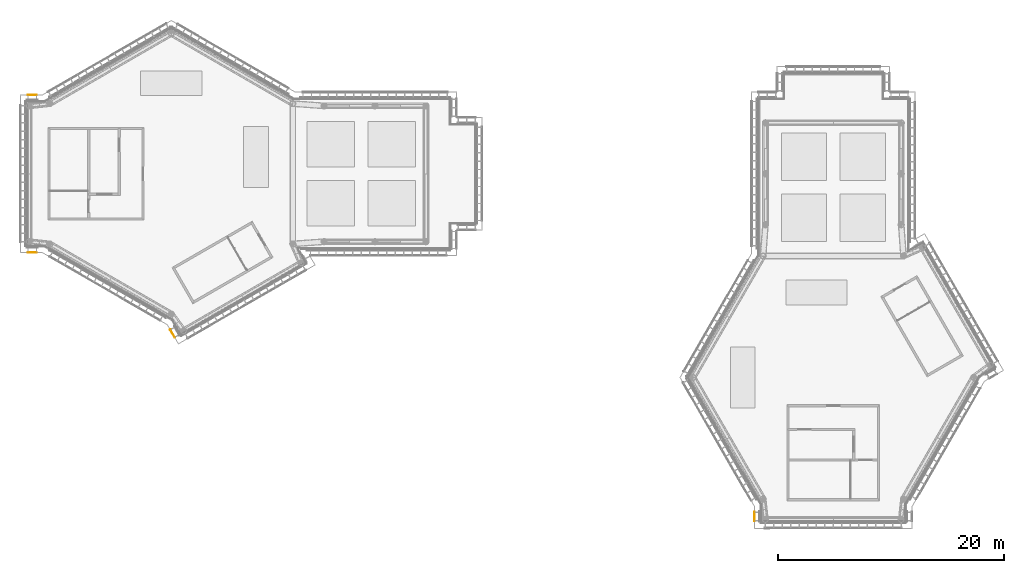
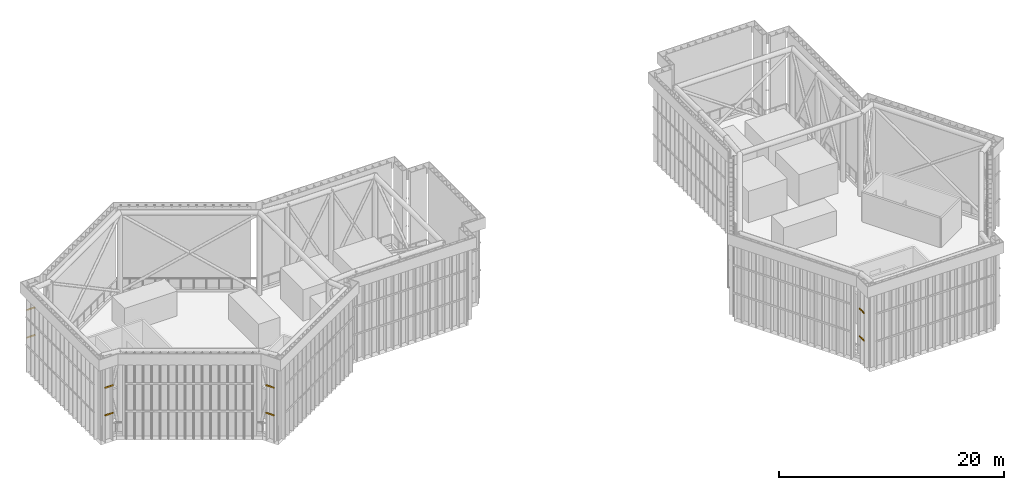
# One storey, part 15 of 17: 8 coverings.
"""IFC4 building model written with IfcOpenShell, lengths in metres."""

from ifc_helpers import new_model, si_unit, direction, frame, origin, origin_2d, place, context, subcontext, project, spatial, rectangle, extrude, material, type_object, element, save


model = new_model("IFC4")

# Units and contexts
model_context = context("Model", 3, precision=1e-05, world=origin(), true_north=direction((0.0, 1.0)))
body_context = subcontext(model_context, "Body", "Model", "MODEL_VIEW")
ifc_project = project(units=[si_unit("LENGTHUNIT", "METRE"), si_unit("AREAUNIT", "SQUARE_METRE"), si_unit("VOLUMEUNIT", "CUBIC_METRE"), si_unit("PLANEANGLEUNIT", "RADIAN"), si_unit("MASSUNIT", "GRAM", prefix="KILO")], contexts=[model_context])

# Site, building, storey
site_placement = place(None, origin())
site = spatial("IfcSite", under=ifc_project, at=site_placement, CompositionType="ELEMENT")
building_placement = place(site_placement, origin())
building = spatial("IfcBuilding", under=site, at=building_placement, Name="Upepo Twin Towers", CompositionType="ELEMENT")
storey_placement = place(building_placement, frame((0.0, 0.0, 296.5)))
storey = spatial("IfcBuildingStorey", under=building, at=storey_placement, Name="RF", CompositionType="ELEMENT", Elevation=296.5)

# Coverings
ifc_material = material(Name="Anodised aluminium, pale silver", Category="aluminium")
covering_type = type_object("IfcCoveringType", Name="Crown screen rail 60x100 pale aluminium", PredefinedType="CLADDING", material=ifc_material)
for number, where, z_axis, x_axis, name in (
    (1, (-12.283447265625, 6.9599609375, 2.949951171875), (0.0, 0.0, 1.0), (-1.0, 0.0, 0.0), "T1 crown screen rail 11.1"),
    (2, (-12.283447265625, 6.9599609375, 5.949951171875), (0.0, 0.0, 1.0), (-1.0, 0.0, 0.0), "T1 crown screen rail 11.2"),
    (3, (-12.283447265625, -6.9599609375, 2.949951171875), (0.0, 0.0, 1.0), (1.0, 0.0, 0.0), "T1 crown screen rail 13.1"),
    (4, (-12.283447265625, -6.9599609375, 5.949951171875), (0.0, 0.0, 1.0), (1.0, 0.0, 0.0), "T1 crown screen rail 13.2"),
    (5, (0.114013671875, -14.11767578125, 2.949951171875), (0.0, 0.0, 1.0), (0.49999990931, -0.866025456144, 0.0), "T1 crown screen rail 15.1"),
    (6, (0.114013671875, -14.11767578125, 5.949951171875), (0.0, 0.0, 1.0), (0.49999990931, -0.866025456144, 0.0), "T1 crown screen rail 15.2"),
    (7, (51.5400390625, -30.283447265625, 2.949951171875), (0.0, 0.0, 1.0), (0.0, -1.0, 0.0), "T2 crown screen rail 11.1"),
    (8, (51.5400390625, -30.283447265625, 5.949951171875), (0.0, 0.0, 1.0), (0.0, -1.0, 0.0), "T2 crown screen rail 11.2"),
):
    element("IfcCovering", number, at=place(storey_placement, frame(where, z_axis=z_axis, x_axis=x_axis)), inside=storey, type_object=covering_type, Name=name, PredefinedType="CLADDING", context=body_context, shape_type="SweptSolid", body=[
        extrude(rectangle(XDim=0.830078125, YDim=0.06005859375, at=origin_2d()), origin(), (0.0, 0.0, 1.0), 0.10009765625),
    ])

save(model, "model.ifc")
